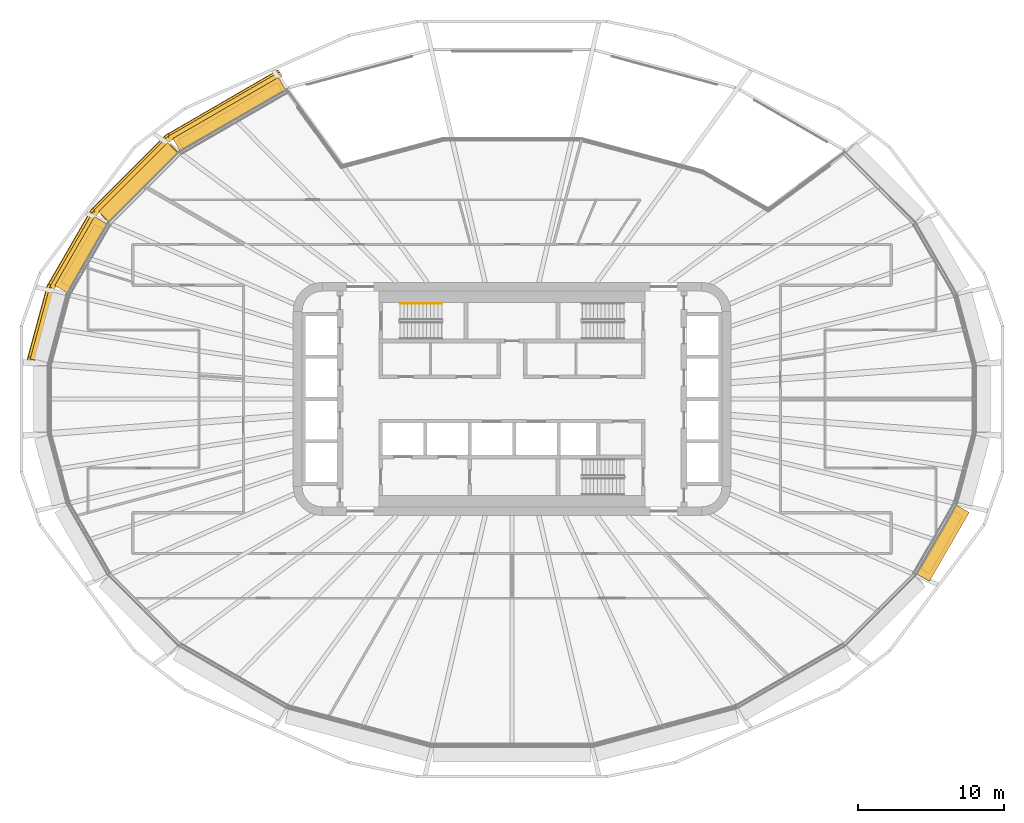
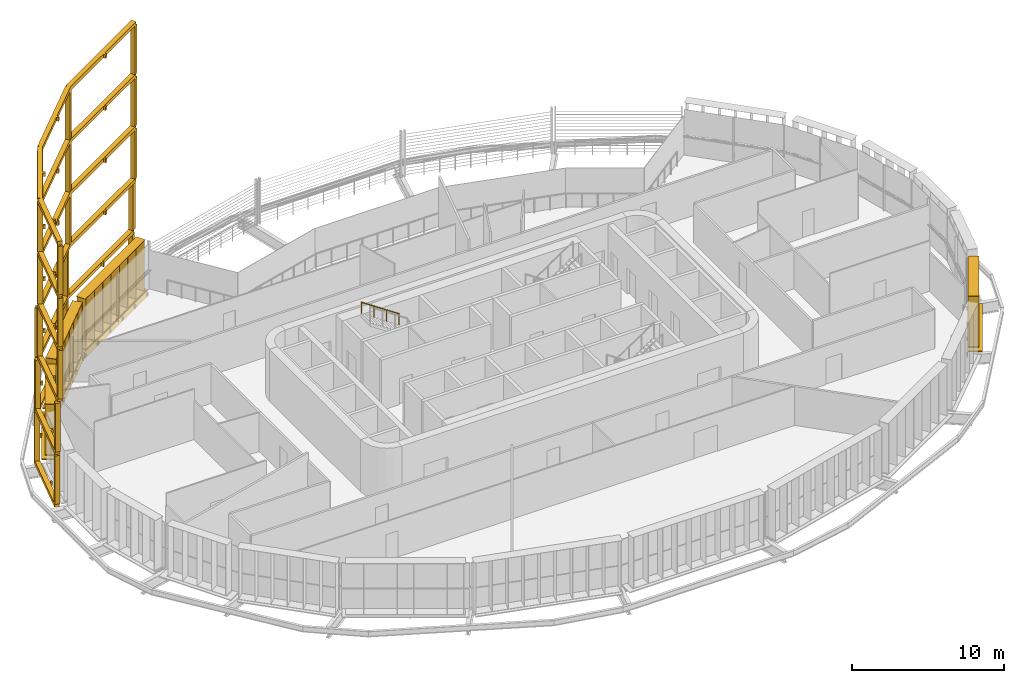
# One storey, part 23 of 25: 9 shading devices, 1 railing.
"""IFC4 building model written with IfcOpenShell, lengths in metres."""

import ifcopenshell
import ifcopenshell.guid

model = None  # the IFC model being written
_history = None  # IfcOwnerHistory: only IFC2X3 demands one
_inside = {}  # id of a spatial element -> (the spatial element, [elements in it])
_under = {}  # id of a project, library or spatial element -> (it, [spatial elements below it])
_declared = {}  # id of a project -> (the project, [libraries it declares])
_typed = {}  # id of a type object -> (the type object, [elements of that type])
_made_of = {}  # id of a material, layer set ... -> (it, [elements and type objects made of it])


def new_model(schema):
    """Start an empty IFC model of exactly this schema.

    Asked for "IFC4X3", IfcOpenShell would pick the latest addendum, in which some entities
    have other attributes; the version numbers below select the first issue.
    IFC2X3 requires an IfcOwnerHistory on every rooted entity: one is made here for all.
    """
    global model, _history
    if schema == "IFC4X3":
        model = ifcopenshell.file(schema_version=(4, 3, 0, 0))
    else:
        model = ifcopenshell.file(schema=schema)
    _inside.clear()
    _under.clear()
    _declared.clear()
    _typed.clear()
    _made_of.clear()
    _history = None
    if model.schema == "IFC2X3":
        org = make("IfcOrganization", Name="unknown")
        user = make(
            "IfcPersonAndOrganization",
            ThePerson=make("IfcPerson", FamilyName="unknown"),
            TheOrganization=org,
        )
        app = make(
            "IfcApplication",
            ApplicationDeveloper=org,
            Version="unknown",
            ApplicationFullName="unknown",
            ApplicationIdentifier="unknown",
        )
        _history = make(
            "IfcOwnerHistory",
            OwningUser=user,
            OwningApplication=app,
            ChangeAction="ADDED",
            CreationDate=0,
        )
    return model


def make(cls, **values):
    """One entity of the class cls with the attributes given. An attribute that is None is left unset."""
    return model.create_entity(
        cls, **{name: value for name, value in values.items() if value is not None}
    )


def rooted(cls, **values):
    """An entity with a GlobalId (a new one), such as an element, a storey or a relation."""
    return make(cls, GlobalId=ifcopenshell.guid.new(), OwnerHistory=_history, **values)


def si_unit(unit_type, name, prefix=None):
    """IfcSIUnit, for example si_unit("LENGTHUNIT", "METRE", prefix="MILLI")."""
    return make("IfcSIUnit", UnitType=unit_type, Prefix=prefix, Name=name)


def assignment(units):
    """IfcUnitAssignment: the units of a project."""
    return None if units is None else make("IfcUnitAssignment", Units=units)


def point(xyz):
    """IfcCartesianPoint."""
    return None if xyz is None else make("IfcCartesianPoint", Coordinates=xyz)


def direction(xyz):
    """IfcDirection."""
    return None if xyz is None else make("IfcDirection", DirectionRatios=xyz)


def frame(location, z_axis=None, x_axis=None):
    """IfcAxis2Placement3D, a coordinate frame: its origin and axes. An axis left out is left unset."""
    return make(
        "IfcAxis2Placement3D",
        Location=point(location),
        Axis=direction(z_axis),
        RefDirection=direction(x_axis),
    )


def frame_2d(location, x_axis=None):
    """IfcAxis2Placement2D, a coordinate frame in the plane: its origin and x axis."""
    return make(
        "IfcAxis2Placement2D", Location=point(location), RefDirection=direction(x_axis)
    )


def origin():
    """The frame at (0, 0, 0) with its axes left unset."""
    return frame((0.0, 0.0, 0.0))


def origin_2d():
    """The frame at (0, 0) in the plane with its x axis left unset."""
    return frame_2d((0.0, 0.0))


def place(relative_to, where):
    """IfcLocalPlacement: puts the frame where relative to a parent placement (None: the world)."""
    return make(
        "IfcLocalPlacement", PlacementRelTo=relative_to, RelativePlacement=where
    )


def context(
    kind, dimensions, precision=None, world=None, true_north=None, identifier=None
):
    """IfcGeometricRepresentationContext, for example the 3D "Model" context."""
    return make(
        "IfcGeometricRepresentationContext",
        ContextIdentifier=identifier,
        ContextType=kind,
        CoordinateSpaceDimension=dimensions,
        Precision=precision,
        WorldCoordinateSystem=world,
        TrueNorth=true_north,
    )


def subcontext(parent, identifier, kind, view, scale=None):
    """IfcGeometricRepresentationSubContext, for example "Body" below "Model"."""
    return make(
        "IfcGeometricRepresentationSubContext",
        ContextIdentifier=identifier,
        ContextType=kind,
        ParentContext=parent,
        TargetScale=scale,
        TargetView=view,
    )


def project(units=None, contexts=None):
    """IfcProject with its units and contexts."""
    return rooted(
        "IfcProject",
        Name="project",
        RepresentationContexts=contexts,
        UnitsInContext=assignment(units),
    )


def spatial(cls, under=None, at=None, **own):
    """A site, building, storey or space (cls), placed at a placement, below another one or the project."""
    s = rooted(cls, ObjectPlacement=at, **own)
    if under is not None:
        _under.setdefault(under.id(), (under, []))[1].append(s)
    return s


def polyline(points):
    """IfcPolyline through the points."""
    return make("IfcPolyline", Points=[point(p) for p in points])


def profile(cls, at=None, kind="AREA", **sizes):
    """A parametric profile (cls). Its sizes go by their IFC names, for example OverallWidth=200.0."""
    return make(cls, ProfileType=kind, Position=at, **sizes)


def rectangle(**sizes):
    """IfcRectangleProfileDef."""
    return profile("IfcRectangleProfileDef", **sizes)


def circle(**sizes):
    """IfcCircleProfileDef."""
    return profile("IfcCircleProfileDef", **sizes)


def outline(outer, holes=None, kind="AREA"):
    """IfcArbitraryClosedProfileDef: a profile drawn as a closed curve; with holes, ...WithVoids."""
    if holes is None:
        return make("IfcArbitraryClosedProfileDef", ProfileType=kind, OuterCurve=outer)
    return make(
        "IfcArbitraryProfileDefWithVoids",
        ProfileType=kind,
        OuterCurve=outer,
        InnerCurves=holes,
    )


def extrude(swept, where, along, depth):
    """IfcExtrudedAreaSolid: the profile swept, set in the frame where, extruded along a direction by depth."""
    return make(
        "IfcExtrudedAreaSolid",
        SweptArea=swept,
        Position=where,
        ExtrudedDirection=direction(along),
        Depth=depth,
    )


def shape(context_of_items, identifier, shape_type, items):
    """IfcShapeRepresentation: the items that make up one representation, for example the "Body"."""
    return make(
        "IfcShapeRepresentation",
        ContextOfItems=context_of_items,
        RepresentationIdentifier=identifier,
        RepresentationType=shape_type,
        Items=items,
    )


def material(Name=None, Category=None):
    """IfcMaterial."""
    return make("IfcMaterial", Name=Name, Category=Category)


def made_of(thing, what):
    """Note that an element or type object is made of a material, layer set ...; save() writes the relation."""
    if what is not None:
        _made_of.setdefault(what.id(), (what, []))[1].append(thing)
    return thing


def type_object(cls, material=None, **own):
    """A type object (cls), such as IfcWallType, which elements share."""
    return made_of(rooted(cls, **own), material)


def element(
    cls,
    number,
    at=None,
    inside=None,
    cuts=None,
    type_object=None,
    material=None,
    context=None,
    identifier="Body",
    shape_type=None,
    held_by="IfcProductDefinitionShape",
    body=None,
    shapes=None,
    **own,
):
    """One element of the class cls, such as IfcWall. Its Tag is "e" and its number.

    at: its placement. inside: the storey or other place that contains it. cuts: it is an
    opening in that element (IfcRelVoidsElement). A single representation is given by context,
    identifier, shape_type and body (its items); several are given by shapes. held_by: the class
    of the entity that holds the representations. save() writes the other relations.
    """
    e = rooted(cls, Tag="e%d" % number, ObjectPlacement=at, **own)
    if body is not None:
        shapes = [shape(context, identifier, shape_type, body)]
    if shapes is not None:
        e.Representation = make(held_by, Representations=shapes)
    if inside is not None:
        _inside.setdefault(inside.id(), (inside, []))[1].append(e)
    if cuts is not None:
        rooted(
            "IfcRelVoidsElement", RelatingBuildingElement=cuts, RelatedOpeningElement=e
        )
    if type_object is not None:
        _typed.setdefault(type_object.id(), (type_object, []))[1].append(e)
    return made_of(e, material)


def aggregate(whole, parts):
    """IfcRelAggregates: a whole, such as a stair, and the parts it consists of."""
    return rooted("IfcRelAggregates", RelatingObject=whole, RelatedObjects=parts)


def save(model, path):
    """Write the relations noted so far, then the file.

    IfcRelAggregates (storeys below a building ...), IfcRelContainedInSpatialStructure (elements
    in a storey), IfcRelDefinesByType, IfcRelAssociatesMaterial and IfcRelDeclares: one each for
    every whole, place, type object, material and project.
    """
    for whole, parts in _under.values():
        aggregate(whole, parts)
    for where, things in _inside.values():
        rooted(
            "IfcRelContainedInSpatialStructure",
            RelatedElements=things,
            RelatingStructure=where,
        )
    for kind, things in _typed.values():
        rooted("IfcRelDefinesByType", RelatedObjects=things, RelatingType=kind)
    for what, things in _made_of.values():
        rooted("IfcRelAssociatesMaterial", RelatedObjects=things, RelatingMaterial=what)
    for by, libraries in _declared.values():
        rooted("IfcRelDeclares", RelatingContext=by, RelatedDefinitions=libraries)
    model.write(path)


model = new_model("IFC4")

# Units and contexts
model_context = context("Model", 3, precision=1e-05, world=origin(), true_north=direction((0.0, 1.0)))
body_context = subcontext(model_context, "Body", "Model", "MODEL_VIEW")
ifc_project = project(units=[si_unit("LENGTHUNIT", "METRE"), si_unit("AREAUNIT", "SQUARE_METRE"), si_unit("VOLUMEUNIT", "CUBIC_METRE"), si_unit("PLANEANGLEUNIT", "RADIAN"), si_unit("MASSUNIT", "GRAM", prefix="KILO")], contexts=[model_context])

# Site, building, storey
site_placement = place(None, origin())
site = spatial("IfcSite", under=ifc_project, at=site_placement, CompositionType="ELEMENT")
building_placement = place(site_placement, origin())
building = spatial("IfcBuilding", under=site, at=building_placement, Name="Sahrelin Media Tower", CompositionType="ELEMENT")
storey_placement = place(building_placement, frame((0.0, 0.0, 127.199951171875)))
storey = spatial("IfcBuildingStorey", under=building, at=storey_placement, Name="L25", CompositionType="ELEMENT", Elevation=127.199951171875)

# Shading devices
ifc_material_1 = material(Name="Dark bronze anodised aluminium 6063-T6", Category="aluminium")
shading_device_type_1 = type_object("IfcShadingDeviceType", Name="Deep frame", PredefinedType="USERDEFINED", material=ifc_material_1)
shading_device_1_placement = place(storey_placement, frame((-15.414306640625, 21.209716796875, 0.0), z_axis=(0.0, 0.0, 1.0), x_axis=(0.866019052629, 0.500011000363, 0.0)))
element("IfcShadingDevice", 1, at=shading_device_1_placement, inside=storey, type_object=shading_device_type_1, Name="L25:FRAME:F2-2", ObjectType="FRAME", PredefinedType="USERDEFINED", context=body_context, shape_type="SweptSolid", body=[
    extrude(rectangle(XDim=0.300048828125, YDim=0.35009765625, at=origin_2d()), frame((0.0, 1.324951171875, 0.14990234375), z_axis=(0.0, 0.0, 1.0), x_axis=(-1.0, 0.0, 0.0)), (0.0, 0.0, 1.0), 3.900146484375),
    extrude(rectangle(XDim=0.300048828125, YDim=0.35009765625, at=origin_2d()), frame((-8.7333984375, 1.313720703125, 0.14990234375), z_axis=(0.0, 0.0, 1.0), x_axis=(-0.991436202368, -0.130591947046, 0.0)), (0.0, 0.0, 1.0), 3.900146484375),
    extrude(rectangle(XDim=0.300048828125, YDim=0.35009765625, at=origin_2d()), frame((-15.702392578125, -0.5537109375, 0.14990234375), z_axis=(0.0, 0.0, 1.0), x_axis=(-0.923876860854, -0.382689882252, 0.0)), (0.0, 0.0, 1.0), 3.900146484375),
    extrude(rectangle(XDim=0.300048828125, YDim=0.35009765625, at=origin_2d()), frame((-20.898681640625, -3.553955078125, 0.14990234375), z_axis=(0.0, 0.0, 1.0), x_axis=(-0.793400087474, -0.608700502051, 0.0)), (0.0, 0.0, 1.0), 3.900146484375),
    extrude(rectangle(XDim=0.300048828125, YDim=0.35009765625, at=origin_2d()), frame((-24.542724609375, -7.181884765625, 0.14990234375), z_axis=(0.0, 0.0, 1.0), x_axis=(-0.707106781187, -0.707106781187, 0.0)), (0.0, 0.0, 1.0), 3.900146484375),
    extrude(outline(polyline([(-22.587890625, -5.72900390625), (-22.48193359375, -5.623046875), (-22.605224609375, -5.499755859375), (-20.79150390625, -3.694091796875), (-18.278076171875, -2.242919921875), (-18.193603515625, -2.388916015625), (-18.063720703125, -2.31396484375), (-18.148193359375, -2.16796875), (-15.635009765625, -0.716796875), (-12.2451171875, 0.19140625), (-12.201416015625, 0.028564453125), (-12.056640625, 0.0673828125), (-12.10009765625, 0.230224609375), (-8.710205078125, 1.138671875), (-4.355224609375, 1.144287109375), (-4.355224609375, 0.969970703125), (-4.205078125, 0.969970703125), (-4.205078125, 1.14453125), (0.000244140625, 1.14990234375), (-0.000244140625, 1.5), (-8.733642578125, 1.48876953125), (-8.7333984375, 1.313720703125), (-8.77880859375, 1.482666015625), (-15.747802734375, -0.384765625), (-15.702392578125, -0.5537109375), (-15.7900390625, -0.402099609375), (-20.986083984375, -3.40234375), (-20.898681640625, -3.553955078125), (-21.022216796875, -3.429931640625), (-24.666259765625, -7.057861328125), (-24.41943359375, -7.305908203125), (-22.71142578125, -5.605712890625), (-22.587890625, -5.72900390625)])), frame((0.0, 0.0, -0.14990234375)), (0.0, 0.0, 1.0), 0.2998046875),
    extrude(rectangle(XDim=0.300048828125, YDim=0.35009765625, at=origin_2d()), frame((0.00341796875, 1.2841796875, 4.35009765625), z_axis=(0.0, 0.0, 1.0), x_axis=(-1.0, 0.0, 0.0)), (0.0, 0.0, 1.0), 3.89990234375),
    extrude(rectangle(XDim=0.300048828125, YDim=0.35009765625, at=origin_2d()), frame((-8.716796875, 1.27294921875, 4.35009765625), z_axis=(0.0, 0.0, 1.0), x_axis=(-0.991447594891, -0.130505427419, 0.0)), (0.0, 0.0, 1.0), 3.89990234375),
    extrude(rectangle(XDim=0.300048828125, YDim=0.35009765625, at=origin_2d()), frame((-15.675537109375, -0.591796875, 4.35009765625), z_axis=(0.0, 0.0, 1.0), x_axis=(-0.923897565017, -0.382639895143, 0.0)), (0.0, 0.0, 1.0), 3.89990234375),
    extrude(rectangle(XDim=0.300048828125, YDim=0.35009765625, at=origin_2d()), frame((-20.864013671875, -3.587158203125, 4.35009765625), z_axis=(0.0, 0.0, 1.0), x_axis=(-0.793352277801, -0.608762813671, 0.0)), (0.0, 0.0, 1.0), 3.89990234375),
    extrude(rectangle(XDim=0.300048828125, YDim=0.35009765625, at=origin_2d()), frame((-24.50244140625, -7.209716796875, 4.35009765625), z_axis=(0.0, 0.0, 1.0), x_axis=(-0.707056179876, -0.707157378876, 0.0)), (0.0, 0.0, 1.0), 3.89990234375),
    extrude(outline(polyline([(-22.55029296875, -5.759765625), (-22.4443359375, -5.653564453125), (-22.567626953125, -5.5302734375), (-20.756591796875, -3.727294921875), (-18.247314453125, -2.278564453125), (-18.162841796875, -2.424560546875), (-18.032958984375, -2.349609375), (-18.1171875, -2.20361328125), (-15.60791015625, -0.7548828125), (-12.223388671875, 0.152099609375), (-12.1796875, -0.0107421875), (-12.034912109375, 0.028076171875), (-12.07861328125, 0.19091796875), (-8.693603515625, 1.097900390625), (-4.34521484375, 1.103515625), (-4.34521484375, 0.92919921875), (-4.1953125, 0.92919921875), (-4.1953125, 1.103759765625), (0.003662109375, 1.109375), (0.003173828125, 1.459228515625), (-8.717041015625, 1.447998046875), (-8.716796875, 1.27294921875), (-8.76220703125, 1.44189453125), (-15.720947265625, -0.422607421875), (-15.675537109375, -0.591796875), (-15.76318359375, -0.440185546875), (-20.951416015625, -3.435791015625), (-20.864013671875, -3.587158203125), (-20.9873046875, -3.463134765625), (-24.6259765625, -7.085693359375), (-24.37890625, -7.333740234375), (-22.673828125, -5.63623046875), (-22.55029296875, -5.759765625)])), frame((0.0, 0.0, 4.050048828125)), (0.0, 0.0, 1.0), 0.300048828125),
    extrude(rectangle(XDim=0.300048828125, YDim=0.35009765625, at=origin_2d()), frame((0.014892578125, 1.14208984375, 8.550048828125), z_axis=(0.0, 0.0, 1.0), x_axis=(-1.0, 0.0, 0.0)), (0.0, 0.0, 1.0), 3.89990234375),
    extrude(rectangle(XDim=0.300048828125, YDim=0.35009765625, at=origin_2d()), frame((-8.6591796875, 1.130859375, 8.550048828125), z_axis=(0.0, 0.0, 1.0), x_axis=(-0.991436202368, -0.130591947046, 0.0)), (0.0, 0.0, 1.0), 3.89990234375),
    extrude(rectangle(XDim=0.300048828125, YDim=0.35009765625, at=origin_2d()), frame((-15.58154296875, -0.72412109375, 8.550048828125), z_axis=(0.0, 0.0, 1.0), x_axis=(-0.923876860854, -0.382689882252, 0.0)), (0.0, 0.0, 1.0), 3.89990234375),
    extrude(rectangle(XDim=0.300048828125, YDim=0.35009765625, at=origin_2d()), frame((-20.74267578125, -3.703857421875, 8.550048828125), z_axis=(0.0, 0.0, 1.0), x_axis=(-0.793352277801, -0.608762813671, 0.0)), (0.0, 0.0, 1.0), 3.89990234375),
    extrude(rectangle(XDim=0.300048828125, YDim=0.35009765625, at=origin_2d()), frame((-24.361328125, -7.306640625, 8.550048828125), z_axis=(0.0, 0.0, 1.0), x_axis=(-0.707106781187, -0.707106781187, 0.0)), (0.0, 0.0, 1.0), 3.89990234375),
    extrude(outline(polyline([(-22.419189453125, -5.866455078125), (-22.31298828125, -5.760498046875), (-22.436279296875, -5.63720703125), (-20.63525390625, -3.843994140625), (-18.139404296875, -2.403076171875), (-18.05517578125, -2.549072265625), (-17.92529296875, -2.47412109375), (-18.009521484375, -2.328125), (-15.513916015625, -0.88720703125), (-12.1474609375, 0.014892578125), (-12.10400390625, -0.14794921875), (-11.958984375, -0.109130859375), (-12.002685546875, 0.0537109375), (-8.635986328125, 0.955810546875), (-4.310791015625, 0.96142578125), (-4.310791015625, 0.787109375), (-4.16064453125, 0.787109375), (-4.16064453125, 0.961669921875), (0.01513671875, 0.967041015625), (0.0146484375, 1.317138671875), (-8.659423828125, 1.305908203125), (-8.6591796875, 1.130859375), (-8.70458984375, 1.2998046875), (-15.626708984375, -0.55517578125), (-15.58154296875, -0.72412109375), (-15.6689453125, -0.572509765625), (-20.830078125, -3.552490234375), (-20.74267578125, -3.703857421875), (-20.8662109375, -3.579833984375), (-24.48486328125, -7.1826171875), (-24.23779296875, -7.4306640625), (-22.542724609375, -5.742919921875), (-22.419189453125, -5.866455078125)])), frame((0.0, 0.0, 8.25)), (0.0, 0.0, 1.0), 0.300048828125),
    extrude(rectangle(XDim=0.300048828125, YDim=0.35009765625, at=origin_2d()), frame((0.014892578125, 1.14208984375, 12.75), z_axis=(0.0, 0.0, 1.0), x_axis=(-1.0, 0.0, 0.0)), (0.0, 0.0, 1.0), 3.89990234375),
    extrude(rectangle(XDim=0.300048828125, YDim=0.35009765625, at=origin_2d()), frame((-8.6591796875, 1.130859375, 12.75), z_axis=(0.0, 0.0, 1.0), x_axis=(-0.991436202368, -0.130591947046, 0.0)), (0.0, 0.0, 1.0), 3.89990234375),
    extrude(rectangle(XDim=0.300048828125, YDim=0.35009765625, at=origin_2d()), frame((-15.58154296875, -0.72412109375, 12.75), z_axis=(0.0, 0.0, 1.0), x_axis=(-0.923876860854, -0.382689882252, 0.0)), (0.0, 0.0, 1.0), 3.89990234375),
    extrude(rectangle(XDim=0.300048828125, YDim=0.35009765625, at=origin_2d()), frame((-20.74267578125, -3.703857421875, 12.75), z_axis=(0.0, 0.0, 1.0), x_axis=(-0.793352277801, -0.608762813671, 0.0)), (0.0, 0.0, 1.0), 3.89990234375),
    extrude(rectangle(XDim=0.300048828125, YDim=0.35009765625, at=origin_2d()), frame((-24.361328125, -7.306640625, 12.75), z_axis=(0.0, 0.0, 1.0), x_axis=(-0.707106781187, -0.707106781187, 0.0)), (0.0, 0.0, 1.0), 3.89990234375),
    extrude(outline(polyline([(-22.419189453125, -5.866455078125), (-22.31298828125, -5.760498046875), (-22.436279296875, -5.63720703125), (-20.63525390625, -3.843994140625), (-18.139404296875, -2.403076171875), (-18.05517578125, -2.549072265625), (-17.92529296875, -2.47412109375), (-18.009521484375, -2.328125), (-15.513916015625, -0.88720703125), (-12.1474609375, 0.014892578125), (-12.10400390625, -0.14794921875), (-11.958984375, -0.109130859375), (-12.002685546875, 0.0537109375), (-8.635986328125, 0.955810546875), (-4.310791015625, 0.96142578125), (-4.310791015625, 0.787109375), (-4.16064453125, 0.787109375), (-4.16064453125, 0.961669921875), (0.01513671875, 0.967041015625), (0.0146484375, 1.317138671875), (-8.659423828125, 1.305908203125), (-8.6591796875, 1.130859375), (-8.70458984375, 1.2998046875), (-15.626708984375, -0.55517578125), (-15.58154296875, -0.72412109375), (-15.6689453125, -0.572509765625), (-20.830078125, -3.552490234375), (-20.74267578125, -3.703857421875), (-20.8662109375, -3.579833984375), (-24.48486328125, -7.1826171875), (-24.23779296875, -7.4306640625), (-22.542724609375, -5.742919921875), (-22.419189453125, -5.866455078125)])), frame((0.0, 0.0, 12.449951171875)), (0.0, 0.0, 1.0), 0.300048828125),
    extrude(rectangle(XDim=0.300048828125, YDim=0.35009765625, at=origin_2d()), frame((0.014892578125, 1.14208984375, 16.949951171875), z_axis=(0.0, 0.0, 1.0), x_axis=(-1.0, 0.0, 0.0)), (0.0, 0.0, 1.0), 3.900146484375),
    extrude(rectangle(XDim=0.300048828125, YDim=0.35009765625, at=origin_2d()), frame((-8.6591796875, 1.130859375, 16.949951171875), z_axis=(0.0, 0.0, 1.0), x_axis=(-0.991436202368, -0.130591947046, 0.0)), (0.0, 0.0, 1.0), 3.900146484375),
    extrude(rectangle(XDim=0.300048828125, YDim=0.35009765625, at=origin_2d()), frame((-15.58154296875, -0.72412109375, 16.949951171875), z_axis=(0.0, 0.0, 1.0), x_axis=(-0.923876860854, -0.382689882252, 0.0)), (0.0, 0.0, 1.0), 3.900146484375),
    extrude(rectangle(XDim=0.300048828125, YDim=0.35009765625, at=origin_2d()), frame((-20.74267578125, -3.703857421875, 16.949951171875), z_axis=(0.0, 0.0, 1.0), x_axis=(-0.793352277801, -0.608762813671, 0.0)), (0.0, 0.0, 1.0), 3.900146484375),
    extrude(rectangle(XDim=0.300048828125, YDim=0.35009765625, at=origin_2d()), frame((-24.361328125, -7.306640625, 16.949951171875), z_axis=(0.0, 0.0, 1.0), x_axis=(-0.707106781187, -0.707106781187, 0.0)), (0.0, 0.0, 1.0), 3.900146484375),
    extrude(outline(polyline([(-22.419189453125, -5.866455078125), (-22.31298828125, -5.760498046875), (-22.436279296875, -5.63720703125), (-20.63525390625, -3.843994140625), (-18.139404296875, -2.403076171875), (-18.05517578125, -2.549072265625), (-17.92529296875, -2.47412109375), (-18.009521484375, -2.328125), (-15.513916015625, -0.88720703125), (-12.1474609375, 0.014892578125), (-12.10400390625, -0.14794921875), (-11.958984375, -0.109130859375), (-12.002685546875, 0.0537109375), (-8.635986328125, 0.955810546875), (-4.310791015625, 0.96142578125), (-4.310791015625, 0.787109375), (-4.16064453125, 0.787109375), (-4.16064453125, 0.961669921875), (0.01513671875, 0.967041015625), (0.0146484375, 1.317138671875), (-8.659423828125, 1.305908203125), (-8.6591796875, 1.130859375), (-8.70458984375, 1.2998046875), (-15.626708984375, -0.55517578125), (-15.58154296875, -0.72412109375), (-15.6689453125, -0.572509765625), (-20.830078125, -3.552490234375), (-20.74267578125, -3.703857421875), (-20.8662109375, -3.579833984375), (-24.48486328125, -7.1826171875), (-24.23779296875, -7.4306640625), (-22.542724609375, -5.742919921875), (-22.419189453125, -5.866455078125)])), frame((0.0, 0.0, 16.64990234375)), (0.0, 0.0, 1.0), 0.300048828125),
    extrude(outline(polyline([(-22.419189453125, -5.866455078125), (-22.31298828125, -5.760498046875), (-22.436279296875, -5.63720703125), (-20.63525390625, -3.843994140625), (-18.139404296875, -2.403076171875), (-18.05517578125, -2.549072265625), (-17.92529296875, -2.47412109375), (-18.009521484375, -2.328125), (-15.513916015625, -0.88720703125), (-12.1474609375, 0.014892578125), (-12.10400390625, -0.14794921875), (-11.958984375, -0.109130859375), (-12.002685546875, 0.0537109375), (-8.635986328125, 0.955810546875), (-4.310791015625, 0.96142578125), (-4.310791015625, 0.787109375), (-4.16064453125, 0.787109375), (-4.16064453125, 0.961669921875), (0.01513671875, 0.967041015625), (0.0146484375, 1.317138671875), (-8.659423828125, 1.305908203125), (-8.6591796875, 1.130859375), (-8.70458984375, 1.2998046875), (-15.626708984375, -0.55517578125), (-15.58154296875, -0.72412109375), (-15.6689453125, -0.572509765625), (-20.830078125, -3.552490234375), (-20.74267578125, -3.703857421875), (-20.8662109375, -3.579833984375), (-24.48486328125, -7.1826171875), (-24.23779296875, -7.4306640625), (-22.542724609375, -5.742919921875), (-22.419189453125, -5.866455078125)])), frame((0.0, 0.0, 20.85009765625)), (0.0, 0.0, 1.0), 0.2998046875),
])
ifc_material_2 = material(Name="Champagne anodised aluminium 6063-T6", Category="aluminium")
shading_device_type_2 = type_object("IfcShadingDeviceType", Name="Fin cassette", PredefinedType="USERDEFINED", material=ifc_material_2)
placement_1 = place(storey_placement, frame((-19.12109375, 19.069580078125, 0.0), z_axis=(0.0, 0.0, 1.0), x_axis=(0.866019052629, 0.500011000363, 0.0)))
element("IfcShadingDevice", 2, at=placement_1, inside=storey, type_object=shading_device_type_2, Name="L25:FIN:L25-08", ObjectType="FIN", PredefinedType="USERDEFINED", context=body_context, shape_type="SweptSolid", body=[
    extrude(rectangle(XDim=7.89990234375, YDim=0.699951171875, at=origin_2d()), frame((0.0, 0.419921875, 0.0)), (0.0, 0.0, 1.0), 0.02001953125),
    extrude(rectangle(XDim=7.89990234375, YDim=0.699951171875, at=origin_2d()), frame((0.0, 0.419921875, 4.10009765625)), (0.0, 0.0, 1.0), 0.02001953125),
    extrude(rectangle(XDim=0.02001953125, YDim=0.699951171875, at=origin_2d()), frame((-3.85009765625, 0.419921875, 0.010009765625), z_axis=(0.0, 0.0, 1.0), x_axis=(1.0, 0.0, 0.0)), (0.0, 0.0, 1.0), 4.10009765625),
    extrude(rectangle(XDim=0.02001953125, YDim=0.699951171875, at=origin_2d()), frame((-2.75, 0.419921875, 0.010009765625), z_axis=(0.0, 0.0, 1.0), x_axis=(1.0, 0.0, 0.0)), (0.0, 0.0, 1.0), 4.10009765625),
    extrude(rectangle(XDim=0.02001953125, YDim=0.699951171875, at=origin_2d()), frame((-1.64990234375, 0.419921875, 0.010009765625), z_axis=(0.0, 0.0, 1.0), x_axis=(1.0, 0.0, 0.0)), (0.0, 0.0, 1.0), 4.10009765625),
    extrude(rectangle(XDim=0.02001953125, YDim=0.699951171875, at=origin_2d()), frame((-0.550048828125, 0.419921875, 0.010009765625), z_axis=(0.0, 0.0, 1.0), x_axis=(1.0, 0.0, 0.0)), (0.0, 0.0, 1.0), 4.10009765625),
    extrude(rectangle(XDim=0.02001953125, YDim=0.699951171875, at=origin_2d()), frame((0.550048828125, 0.419921875, 0.010009765625), z_axis=(0.0, 0.0, 1.0), x_axis=(1.0, 0.0, 0.0)), (0.0, 0.0, 1.0), 4.10009765625),
    extrude(rectangle(XDim=0.02001953125, YDim=0.699951171875, at=origin_2d()), frame((1.64990234375, 0.419921875, 0.010009765625), z_axis=(0.0, 0.0, 1.0), x_axis=(1.0, 0.0, 0.0)), (0.0, 0.0, 1.0), 4.10009765625),
    extrude(rectangle(XDim=0.02001953125, YDim=0.699951171875, at=origin_2d()), frame((2.75, 0.419921875, 0.010009765625), z_axis=(0.0, 0.0, 1.0), x_axis=(1.0, 0.0, 0.0)), (0.0, 0.0, 1.0), 4.10009765625),
    extrude(rectangle(XDim=0.02001953125, YDim=0.699951171875, at=origin_2d()), frame((3.85009765625, 0.419921875, 0.010009765625), z_axis=(0.0, 0.0, 1.0), x_axis=(1.0, 0.0, 0.0)), (0.0, 0.0, 1.0), 4.10009765625),
])
placement_2 = place(storey_placement, frame((-25.25634765625, 14.5009765625, 0.0), z_axis=(0.0, 0.0, 1.0), x_axis=(0.707106781187, 0.707106781187, 0.0)))
element("IfcShadingDevice", 3, at=placement_2, inside=storey, type_object=shading_device_type_2, Name="L25:FIN:L25-09", ObjectType="FIN", PredefinedType="USERDEFINED", context=body_context, shape_type="SweptSolid", body=[
    extrude(rectangle(XDim=6.800048828125, YDim=0.699951171875, at=origin_2d()), frame((0.0, 0.419921875, 0.0)), (0.0, 0.0, 1.0), 0.02001953125),
    extrude(rectangle(XDim=6.800048828125, YDim=0.699951171875, at=origin_2d()), frame((0.0, 0.419921875, 4.10009765625)), (0.0, 0.0, 1.0), 0.02001953125),
    extrude(rectangle(XDim=0.02001953125, YDim=0.699951171875, at=origin_2d()), frame((-3.300048828125, 0.419921875, 0.010009765625), z_axis=(0.0, 0.0, 1.0), x_axis=(1.0, 0.0, 0.0)), (0.0, 0.0, 1.0), 4.10009765625),
    extrude(rectangle(XDim=0.02001953125, YDim=0.699951171875, at=origin_2d()), frame((-2.199951171875, 0.419921875, 0.010009765625), z_axis=(0.0, 0.0, 1.0), x_axis=(1.0, 0.0, 0.0)), (0.0, 0.0, 1.0), 4.10009765625),
    extrude(rectangle(XDim=0.02001953125, YDim=0.699951171875, at=origin_2d()), frame((-1.10009765625, 0.419921875, 0.010009765625), z_axis=(0.0, 0.0, 1.0), x_axis=(1.0, 0.0, 0.0)), (0.0, 0.0, 1.0), 4.10009765625),
    extrude(rectangle(XDim=0.02001953125, YDim=0.699951171875, at=origin_2d()), frame((0.0, 0.419921875, 0.010009765625), z_axis=(0.0, 0.0, 1.0), x_axis=(1.0, 0.0, 0.0)), (0.0, 0.0, 1.0), 4.10009765625),
    extrude(rectangle(XDim=0.02001953125, YDim=0.699951171875, at=origin_2d()), frame((1.10009765625, 0.419921875, 0.010009765625), z_axis=(0.0, 0.0, 1.0), x_axis=(1.0, 0.0, 0.0)), (0.0, 0.0, 1.0), 4.10009765625),
    extrude(rectangle(XDim=0.02001953125, YDim=0.699951171875, at=origin_2d()), frame((2.199951171875, 0.419921875, 0.010009765625), z_axis=(0.0, 0.0, 1.0), x_axis=(1.0, 0.0, 0.0)), (0.0, 0.0, 1.0), 4.10009765625),
    extrude(rectangle(XDim=0.02001953125, YDim=0.699951171875, at=origin_2d()), frame((3.300048828125, 0.419921875, 0.010009765625), z_axis=(0.0, 0.0, 1.0), x_axis=(1.0, 0.0, 0.0)), (0.0, 0.0, 1.0), 4.10009765625),
])
placement_3 = place(storey_placement, frame((-29.098388671875, 9.6240234375, 0.0), z_axis=(0.0, 0.0, 1.0), x_axis=(0.500011000363, 0.866019052629, 0.0)))
element("IfcShadingDevice", 4, at=placement_3, inside=storey, type_object=shading_device_type_2, Name="L25:FIN:L25-10", ObjectType="FIN", PredefinedType="USERDEFINED", context=body_context, shape_type="SweptSolid", body=[
    extrude(rectangle(XDim=4.60009765625, YDim=0.699951171875, at=origin_2d()), frame((0.0, 0.419921875, 0.0)), (0.0, 0.0, 1.0), 0.02001953125),
    extrude(rectangle(XDim=4.60009765625, YDim=0.699951171875, at=origin_2d()), frame((0.0, 0.419921875, 4.10009765625)), (0.0, 0.0, 1.0), 0.02001953125),
    extrude(rectangle(XDim=0.02001953125, YDim=0.699951171875, at=origin_2d()), frame((-2.199951171875, 0.419921875, 0.010009765625), z_axis=(0.0, 0.0, 1.0), x_axis=(1.0, 0.0, 0.0)), (0.0, 0.0, 1.0), 4.10009765625),
    extrude(rectangle(XDim=0.02001953125, YDim=0.699951171875, at=origin_2d()), frame((-1.10009765625, 0.419921875, 0.010009765625), z_axis=(0.0, 0.0, 1.0), x_axis=(1.0, 0.0, 0.0)), (0.0, 0.0, 1.0), 4.10009765625),
    extrude(rectangle(XDim=0.02001953125, YDim=0.699951171875, at=origin_2d()), frame((0.0, 0.419921875, 0.010009765625), z_axis=(0.0, 0.0, 1.0), x_axis=(1.0, 0.0, 0.0)), (0.0, 0.0, 1.0), 4.10009765625),
    extrude(rectangle(XDim=0.02001953125, YDim=0.699951171875, at=origin_2d()), frame((1.10009765625, 0.419921875, 0.010009765625), z_axis=(0.0, 0.0, 1.0), x_axis=(1.0, 0.0, 0.0)), (0.0, 0.0, 1.0), 4.10009765625),
    extrude(rectangle(XDim=0.02001953125, YDim=0.699951171875, at=origin_2d()), frame((2.199951171875, 0.419921875, 0.010009765625), z_axis=(0.0, 0.0, 1.0), x_axis=(1.0, 0.0, 0.0)), (0.0, 0.0, 1.0), 4.10009765625),
])
placement_4 = place(storey_placement, frame((29.098388671875, -9.6240234375, 0.0), z_axis=(0.0, 0.0, 1.0), x_axis=(-0.500011000363, -0.866019052629, 0.0)))
element("IfcShadingDevice", 5, at=placement_4, inside=storey, type_object=shading_device_type_2, Name="L25:FIN:L25-22", ObjectType="FIN", PredefinedType="USERDEFINED", context=body_context, shape_type="SweptSolid", body=[
    extrude(rectangle(XDim=4.60009765625, YDim=0.699951171875, at=origin_2d()), frame((0.0, 0.419921875, 0.0)), (0.0, 0.0, 1.0), 0.02001953125),
    extrude(rectangle(XDim=4.60009765625, YDim=0.699951171875, at=origin_2d()), frame((0.0, 0.419921875, 4.10009765625)), (0.0, 0.0, 1.0), 0.02001953125),
    extrude(rectangle(XDim=0.02001953125, YDim=0.699951171875, at=origin_2d()), frame((-2.199951171875, 0.419921875, 0.010009765625), z_axis=(0.0, 0.0, 1.0), x_axis=(1.0, 0.0, 0.0)), (0.0, 0.0, 1.0), 4.10009765625),
    extrude(rectangle(XDim=0.02001953125, YDim=0.699951171875, at=origin_2d()), frame((-1.10009765625, 0.419921875, 0.010009765625), z_axis=(0.0, 0.0, 1.0), x_axis=(1.0, 0.0, 0.0)), (0.0, 0.0, 1.0), 4.10009765625),
    extrude(rectangle(XDim=0.02001953125, YDim=0.699951171875, at=origin_2d()), frame((0.0, 0.419921875, 0.010009765625), z_axis=(0.0, 0.0, 1.0), x_axis=(1.0, 0.0, 0.0)), (0.0, 0.0, 1.0), 4.10009765625),
    extrude(rectangle(XDim=0.02001953125, YDim=0.699951171875, at=origin_2d()), frame((1.10009765625, 0.419921875, 0.010009765625), z_axis=(0.0, 0.0, 1.0), x_axis=(1.0, 0.0, 0.0)), (0.0, 0.0, 1.0), 4.10009765625),
    extrude(rectangle(XDim=0.02001953125, YDim=0.699951171875, at=origin_2d()), frame((2.199951171875, 0.419921875, 0.010009765625), z_axis=(0.0, 0.0, 1.0), x_axis=(1.0, 0.0, 0.0)), (0.0, 0.0, 1.0), 4.10009765625),
])

# Railing
ifc_material_3 = material(Name="Steel S355", Category="steel")
railing_type = type_object("IfcRailingType", Name="Stair handrail 900", PredefinedType="HANDRAIL", material=ifc_material_3)
railing_placement = place(storey_placement, frame((-4.81494140625, 6.550048828125, 2.275146484375)))
element("IfcRailing", 6, at=railing_placement, inside=storey, type_object=railing_type, Name="L25 ST1 stair handrail 2", PredefinedType="HANDRAIL", context=body_context, shape_type="SweptSolid", body=[
    extrude(circle(Radius=0.02392578125, at=origin_2d()), frame((0.0, 0.0, 0.8759765625), z_axis=(-0.829623704247, 0.0, 0.558322943601), x_axis=(0.0, -1.0, 0.0)), (0.0, 0.0, 1.0), 3.447509765625),
    extrude(circle(Radius=0.02099609375, at=origin_2d()), origin(), (0.0, 0.0, 1.0), 0.851806640625),
    extrude(circle(Radius=0.02099609375, at=origin_2d()), frame((-0.953369140625, 0.0, 0.6416015625)), (0.0, 0.0, 1.0), 0.851806640625),
    extrude(circle(Radius=0.02099609375, at=origin_2d()), frame((-1.90673828125, 0.0, 1.283203125)), (0.0, 0.0, 1.0), 0.851806640625),
    extrude(circle(Radius=0.02099609375, at=origin_2d()), frame((-2.860107421875, 0.0, 1.9248046875)), (0.0, 0.0, 1.0), 0.851806640625),
])

# Shading devices
shading_device_type_3 = type_object("IfcShadingDeviceType", Name="Sunshade band", PredefinedType="USERDEFINED", material=ifc_material_2)
element("IfcShadingDevice", 7, at=placement_1, inside=storey, type_object=shading_device_type_3, Name="L25:SUN:L25-08", ObjectType="SUNSHADE", PredefinedType="USERDEFINED", context=body_context, shape_type="SweptSolid", body=[
    extrude(rectangle(XDim=8.360595703125, YDim=0.050048828125, at=origin_2d()), frame((0.0, 0.044921875, -0.55126953125)), (0.0, 0.0, 1.0), 0.471435546875),
    extrude(rectangle(XDim=8.360595703125, YDim=1.0, at=origin_2d()), frame((0.0, 0.52001953125, -0.080078125)), (0.0, 0.0, 1.0), 0.080078125),
    extrude(rectangle(XDim=0.10009765625, YDim=0.074951171875, at=origin_2d()), frame((-4.080078125, -0.017578125, -0.47021484375)), (0.0, 0.0, 1.0), 0.300048828125),
    extrude(rectangle(XDim=0.10009765625, YDim=0.074951171875, at=origin_2d()), frame((-2.447998046875, -0.017578125, -0.47021484375)), (0.0, 0.0, 1.0), 0.300048828125),
    extrude(rectangle(XDim=0.10009765625, YDim=0.074951171875, at=origin_2d()), frame((-0.81591796875, -0.017578125, -0.47021484375)), (0.0, 0.0, 1.0), 0.300048828125),
    extrude(rectangle(XDim=0.10009765625, YDim=0.074951171875, at=origin_2d()), frame((0.81591796875, -0.017578125, -0.47021484375)), (0.0, 0.0, 1.0), 0.300048828125),
    extrude(rectangle(XDim=0.10009765625, YDim=0.074951171875, at=origin_2d()), frame((2.447998046875, -0.017578125, -0.47021484375)), (0.0, 0.0, 1.0), 0.300048828125),
    extrude(rectangle(XDim=0.10009765625, YDim=0.074951171875, at=origin_2d()), frame((4.080078125, -0.017578125, -0.47021484375)), (0.0, 0.0, 1.0), 0.300048828125),
])
element("IfcShadingDevice", 8, at=placement_2, inside=storey, type_object=shading_device_type_3, Name="L25:SUN:L25-09", ObjectType="SUNSHADE", PredefinedType="USERDEFINED", context=body_context, shape_type="SweptSolid", body=[
    extrude(rectangle(XDim=6.6689453125, YDim=0.050048828125, at=origin_2d()), frame((0.0, 0.044921875, -0.55126953125)), (0.0, 0.0, 1.0), 0.471435546875),
    extrude(rectangle(XDim=6.6689453125, YDim=1.0, at=origin_2d()), frame((0.0, 0.52001953125, -0.080078125)), (0.0, 0.0, 1.0), 0.080078125),
    extrude(rectangle(XDim=0.10009765625, YDim=0.074951171875, at=origin_2d()), frame((-3.234619140625, -0.017578125, -0.47021484375)), (0.0, 0.0, 1.0), 0.300048828125),
    extrude(rectangle(XDim=0.10009765625, YDim=0.074951171875, at=origin_2d()), frame((-1.6171875, -0.017578125, -0.47021484375)), (0.0, 0.0, 1.0), 0.300048828125),
    extrude(rectangle(XDim=0.10009765625, YDim=0.074951171875, at=origin_2d()), frame((0.0, -0.017578125, -0.47021484375)), (0.0, 0.0, 1.0), 0.300048828125),
    extrude(rectangle(XDim=0.10009765625, YDim=0.074951171875, at=origin_2d()), frame((1.6171875, -0.017578125, -0.47021484375)), (0.0, 0.0, 1.0), 0.300048828125),
    extrude(rectangle(XDim=0.10009765625, YDim=0.074951171875, at=origin_2d()), frame((3.234619140625, -0.017578125, -0.47021484375)), (0.0, 0.0, 1.0), 0.300048828125),
])
element("IfcShadingDevice", 9, at=placement_3, inside=storey, type_object=shading_device_type_3, Name="L25:SUN:L25-10", ObjectType="SUNSHADE", PredefinedType="USERDEFINED", context=body_context, shape_type="SweptSolid", body=[
    extrude(rectangle(XDim=5.4541015625, YDim=0.050048828125, at=origin_2d()), frame((0.0, 0.044921875, -0.55126953125)), (0.0, 0.0, 1.0), 0.471435546875),
    extrude(rectangle(XDim=5.4541015625, YDim=1.0, at=origin_2d()), frame((0.0, 0.52001953125, -0.080078125)), (0.0, 0.0, 1.0), 0.080078125),
    extrude(rectangle(XDim=0.10009765625, YDim=0.074951171875, at=origin_2d()), frame((-2.627197265625, -0.017578125, -0.47021484375)), (0.0, 0.0, 1.0), 0.300048828125),
    extrude(rectangle(XDim=0.10009765625, YDim=0.074951171875, at=origin_2d()), frame((-0.875732421875, -0.017578125, -0.47021484375)), (0.0, 0.0, 1.0), 0.300048828125),
    extrude(rectangle(XDim=0.10009765625, YDim=0.074951171875, at=origin_2d()), frame((0.875732421875, -0.017578125, -0.47021484375)), (0.0, 0.0, 1.0), 0.300048828125),
    extrude(rectangle(XDim=0.10009765625, YDim=0.074951171875, at=origin_2d()), frame((2.627197265625, -0.017578125, -0.47021484375)), (0.0, 0.0, 1.0), 0.300048828125),
])
element("IfcShadingDevice", 10, at=placement_4, inside=storey, type_object=shading_device_type_3, Name="L25:SUN:L25-22", ObjectType="SUNSHADE", PredefinedType="USERDEFINED", context=body_context, shape_type="SweptSolid", body=[
    extrude(rectangle(XDim=5.4541015625, YDim=0.050048828125, at=origin_2d()), frame((0.0, 0.044921875, -0.55126953125)), (0.0, 0.0, 1.0), 0.471435546875),
    extrude(rectangle(XDim=5.4541015625, YDim=1.0, at=origin_2d()), frame((0.0, 0.52001953125, -0.080078125)), (0.0, 0.0, 1.0), 0.080078125),
    extrude(rectangle(XDim=0.10009765625, YDim=0.074951171875, at=origin_2d()), frame((-2.627197265625, -0.017578125, -0.47021484375)), (0.0, 0.0, 1.0), 0.300048828125),
    extrude(rectangle(XDim=0.10009765625, YDim=0.074951171875, at=origin_2d()), frame((-0.875732421875, -0.017578125, -0.47021484375)), (0.0, 0.0, 1.0), 0.300048828125),
    extrude(rectangle(XDim=0.10009765625, YDim=0.074951171875, at=origin_2d()), frame((0.875732421875, -0.017578125, -0.47021484375)), (0.0, 0.0, 1.0), 0.300048828125),
    extrude(rectangle(XDim=0.10009765625, YDim=0.074951171875, at=origin_2d()), frame((2.627197265625, -0.017578125, -0.47021484375)), (0.0, 0.0, 1.0), 0.300048828125),
])

save(model, "model.ifc")
